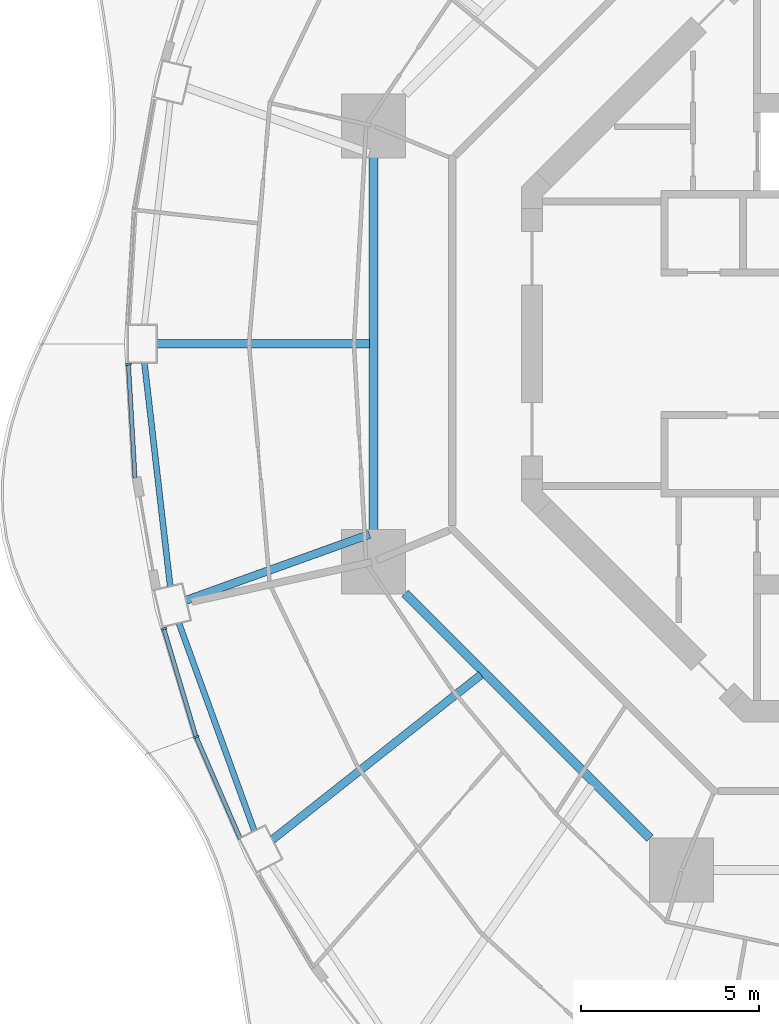
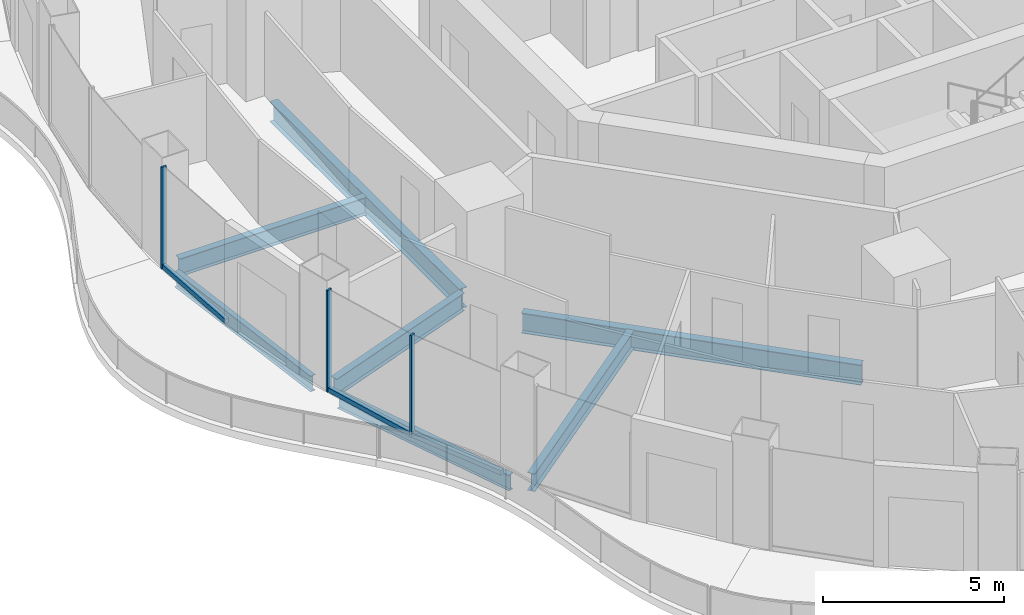
# One storey, part 3 of 19: 7 beams, 6 members, 3 elements without a shape of their own.
"""IFC4 building model written with IfcOpenShell, lengths in metres."""

from ifc_helpers import new_model, si_unit, direction, frame, origin, origin_2d, place, context, subcontext, project, spatial, rectangle, i_section, extrude, material, layer, layer_set, material_profile, profile_set, type_object, element, aggregate, save


model = new_model("IFC4")

# Units and contexts
model_context = context("Model", 3, precision=1e-05, world=origin(), true_north=direction((0.0, 1.0)))
body_context = subcontext(model_context, "Body", "Model", "MODEL_VIEW")
ifc_project = project(units=[si_unit("LENGTHUNIT", "METRE"), si_unit("AREAUNIT", "SQUARE_METRE"), si_unit("VOLUMEUNIT", "CUBIC_METRE"), si_unit("PLANEANGLEUNIT", "RADIAN"), si_unit("MASSUNIT", "GRAM", prefix="KILO")], contexts=[model_context])

# Site, building, storey
site_placement = place(None, origin())
site = spatial("IfcSite", under=ifc_project, at=site_placement, CompositionType="ELEMENT")
building_placement = place(site_placement, origin())
building = spatial("IfcBuilding", under=site, at=building_placement, Name="Nagisa Residences", CompositionType="ELEMENT")
storey_placement = place(building_placement, frame((0.0, 0.0, 177.0)))
storey = spatial("IfcBuildingStorey", under=building, at=storey_placement, Name="L44", CompositionType="ELEMENT", Elevation=177.0)

# Curtain wall, member
ifc_material_1 = material(Name="Concrete-coloured aluminium curtain wall system", Category="concrete")
ifc_layer = layer(ifc_material_1, 0.159912109375)
ifc_layer_set = layer_set([ifc_layer], Name="CW1 CURTAIN WALL")
curtain_wall_type = type_object("IfcCurtainWallType", Name="CW1 CURTAIN WALL", PredefinedType="NOTDEFINED", material=ifc_layer_set)
curtain_wall_1_placement = place(storey_placement, origin())
curtain_wall_1 = element("IfcCurtainWall", 1, at=curtain_wall_1_placement, inside=storey, type_object=curtain_wall_type, Name="cw:CW1:L44:24", PredefinedType="NOTDEFINED")
ifc_material_2 = material(Name="Concrete-coloured aluminium", Category="concrete")
ifc_material_profile_1 = material_profile(ifc_material_2, rectangle(XDim=0.159912109375, YDim=0.06005859375, at=origin_2d()), Name="CW1 MULLION 160x60")
ifc_profile_set_1 = profile_set([ifc_material_profile_1], Name="Concrete-coloured aluminium")
member_type_1 = type_object("IfcMemberType", Name="CW1 MULLION 160x60", PredefinedType="MULLION", material=ifc_profile_set_1)
member_1_placement = place(storey_placement, frame((-21.661865234375, -0.574462890625, 0.0), z_axis=(0.0, 0.0, 1.0), x_axis=(0.998345305184, 0.057503492216, 0.0)))
member_1 = element("IfcMember", 2, at=member_1_placement, type_object=member_type_1, Name="CW1 mullion", PredefinedType="MULLION", context=body_context, shape_type="SweptSolid", body=[
    extrude(rectangle(XDim=0.159912109375, YDim=0.06005859375, at=origin_2d()), origin(), (0.0, 0.0, 1.0), 3.43994140625),
])

curtain_wall_2_placement = place(storey_placement, origin())
curtain_wall_2 = element("IfcCurtainWall", 3, at=curtain_wall_2_placement, inside=storey, type_object=curtain_wall_type, Name="cw:CW1:L44:26", PredefinedType="NOTDEFINED")
member_2_placement = place(storey_placement, frame((-20.66796875, -8.00634765625, 0.0), z_axis=(0.0, 0.0, 1.0), x_axis=(0.958271310082, 0.285860274038, 0.0)))
member_2 = element("IfcMember", 4, at=member_2_placement, type_object=member_type_1, Name="CW1 mullion", PredefinedType="MULLION", context=body_context, shape_type="SweptSolid", body=[
    extrude(rectangle(XDim=0.159912109375, YDim=0.06005859375, at=origin_2d()), origin(), (0.0, 0.0, 1.0), 3.43994140625),
])

curtain_wall_3_placement = place(storey_placement, origin())
curtain_wall_3 = element("IfcCurtainWall", 5, at=curtain_wall_3_placement, inside=storey, type_object=curtain_wall_type, Name="cw:CW1:L44:27", PredefinedType="NOTDEFINED")
member_3_placement = place(storey_placement, frame((-19.758056640625, -11.045654296875, 0.0), z_axis=(0.0, 0.0, 1.0), x_axis=(0.917543276295, 0.397635934147, 0.0)))
member_3 = element("IfcMember", 6, at=member_3_placement, type_object=member_type_1, Name="CW1 mullion", PredefinedType="MULLION", context=body_context, shape_type="SweptSolid", body=[
    extrude(rectangle(XDim=0.159912109375, YDim=0.06005859375, at=origin_2d()), origin(), (0.0, 0.0, 1.0), 3.43994140625),
])

# Member
ifc_material_3 = material(Name="Concrete-coloured aluminium", Category="concrete")
ifc_material_profile_2 = material_profile(ifc_material_3, rectangle(XDim=0.1201171875, YDim=0.14990234375, at=origin_2d()), Name="CW1 TRANSOM 120x150")
ifc_profile_set_2 = profile_set([ifc_material_profile_2], Name="Concrete-coloured aluminium")
member_type_2 = type_object("IfcMemberType", Name="CW1 TRANSOM 120x150", PredefinedType="USERDEFINED", material=ifc_profile_set_2)
member_4_placement = place(storey_placement, frame((-21.66357421875, -0.54443359375, 0.074951171875), z_axis=(0.057528345118, -0.998343873376, 0.0), x_axis=(0.998343873376, 0.057528345118, 0.0)))
member_4 = element("IfcMember", 7, at=member_4_placement, type_object=member_type_2, Name="CW1 transom", ObjectType="TRANSOM", PredefinedType="USERDEFINED", context=body_context, shape_type="SweptSolid", body=[
    extrude(rectangle(XDim=0.1201171875, YDim=0.14990234375, at=origin_2d()), origin(), (0.0, 0.0, 1.0), 3.225341796875),
])

aggregate(curtain_wall_1, [member_1, member_4])

member_5_placement = place(storey_placement, frame((-20.676513671875, -7.9775390625, 0.074951171875), z_axis=(0.28584838049, -0.958274857946, 0.0), x_axis=(0.958274857946, 0.28584838049, 0.0)))
member_5 = element("IfcMember", 8, at=member_5_placement, type_object=member_type_2, Name="CW1 transom", ObjectType="TRANSOM", PredefinedType="USERDEFINED", context=body_context, shape_type="SweptSolid", body=[
    extrude(rectangle(XDim=0.1201171875, YDim=0.14990234375, at=origin_2d()), origin(), (0.0, 0.0, 1.0), 3.182373046875),
])

aggregate(curtain_wall_2, [member_2, member_5])

member_6_placement = place(storey_placement, frame((-19.77001953125, -11.01806640625, 0.074951171875), z_axis=(0.397592173732, -0.917562239517, 0.0), x_axis=(0.917562239517, 0.397592173732, 0.0)))
member_6 = element("IfcMember", 9, at=member_6_placement, type_object=member_type_2, Name="CW1 transom", ObjectType="TRANSOM", PredefinedType="USERDEFINED", context=body_context, shape_type="SweptSolid", body=[
    extrude(rectangle(XDim=0.1201171875, YDim=0.14990234375, at=origin_2d()), origin(), (0.0, 0.0, 1.0), 3.14208984375),
])

aggregate(curtain_wall_3, [member_3, member_6])

# Beams
ifc_material_4 = material(Name="Steel ASTM A572 Gr 50", Category="steel")
ifc_material_profile_3 = material_profile(ifc_material_4, i_section(OverallWidth=0.25390625, OverallDepth=0.68408203125, WebThickness=0.012451171875, FlangeThickness=0.018798828125, at=origin_2d()), Name="W690x140")
ifc_profile_set_3 = profile_set([ifc_material_profile_3], Name="Steel ASTM A572 Gr 50")
beam_type_1 = type_object("IfcBeamType", Name="Inner ring beam W690x140", PredefinedType="BEAM", material=ifc_profile_set_3)
beam_1_placement = place(storey_placement, frame((-14.781982421875, 5.242919921875, -0.60205078125), z_axis=(0.0, -1.0, 0.0), x_axis=(1.0, 0.0, 0.0)))
element("IfcBeam", 10, at=beam_1_placement, inside=storey, type_object=beam_type_1, Name="beam:L44:ib4", PredefinedType="BEAM", context=body_context, shape_type="SweptSolid", body=[
    extrude(i_section(OverallWidth=0.25390625, OverallDepth=0.68408203125, WebThickness=0.012451171875, FlangeThickness=0.018798828125, at=origin_2d()), origin(), (0.0, 0.0, 1.0), 10.48583984375),
])
beam_2_placement = place(storey_placement, frame((-13.896240234375, -7.0087890625, -0.60205078125), z_axis=(0.707106781187, -0.707106781187, 0.0), x_axis=(0.707106781187, 0.707106781187, 0.0)))
element("IfcBeam", 11, at=beam_2_placement, inside=storey, type_object=beam_type_1, Name="beam:L44:ib5", PredefinedType="BEAM", context=body_context, shape_type="SweptSolid", body=[
    extrude(i_section(OverallWidth=0.25390625, OverallDepth=0.68408203125, WebThickness=0.012451171875, FlangeThickness=0.018798828125, at=origin_2d()), origin(), (0.0, 0.0, 1.0), 9.740234375),
])
ifc_material_5 = material(Name="Steel ASTM A572 Gr 50", Category="steel")
ifc_material_profile_4 = material_profile(ifc_material_5, i_section(OverallWidth=0.166015625, OverallDepth=0.534912109375, WebThickness=0.01025390625, FlangeThickness=0.0166015625, at=origin_2d()), Name="W530x85")
ifc_profile_set_4 = profile_set([ifc_material_profile_4], Name="Steel ASTM A572 Gr 50")
beam_type_2 = type_object("IfcBeamType", Name="Perimeter ring beam W530x85", PredefinedType="BEAM", material=ifc_profile_set_4)
beam_3_placement = place(storey_placement, frame((-21.2138671875, -0.530029296875, -0.527587890625), z_axis=(0.114670987431, -0.993403525583, 0.0), x_axis=(0.993403525583, 0.114670987431, 0.0)))
element("IfcBeam", 12, at=beam_3_placement, inside=storey, type_object=beam_type_2, Name="beam:L44:pb13", PredefinedType="BEAM", context=body_context, shape_type="SweptSolid", body=[
    extrude(i_section(OverallWidth=0.166015625, OverallDepth=0.534912109375, WebThickness=0.01025390625, FlangeThickness=0.0166015625, at=origin_2d()), origin(), (0.0, 0.0, 1.0), 6.325439453125),
])
beam_4_placement = place(storey_placement, frame((-20.2451171875, -7.845703125, -0.527587890625), z_axis=(0.341285525681, -0.939959674646, 0.0), x_axis=(0.939959674646, 0.341285525681, 0.0)))
element("IfcBeam", 13, at=beam_4_placement, inside=storey, type_object=beam_type_2, Name="beam:L44:pb14", PredefinedType="BEAM", context=body_context, shape_type="SweptSolid", body=[
    extrude(i_section(OverallWidth=0.166015625, OverallDepth=0.534912109375, WebThickness=0.01025390625, FlangeThickness=0.0166015625, at=origin_2d()), origin(), (0.0, 0.0, 1.0), 6.212890625),
])
ifc_material_6 = material(Name="Steel ASTM A572 Gr 50", Category="steel")
ifc_material_profile_5 = material_profile(ifc_material_6, i_section(OverallWidth=0.22802734375, OverallDepth=0.60302734375, WebThickness=0.010498046875, FlangeThickness=0.014892578125, at=origin_2d()), Name="W610x101")
ifc_profile_set_5 = profile_set([ifc_material_profile_5], Name="Steel ASTM A572 Gr 50")
beam_type_3 = type_object("IfcBeamType", Name="Radial beam W610x101", PredefinedType="BEAM", material=ifc_profile_set_5)
beam_5_placement = place(storey_placement, frame((-20.8701171875, 0.0, -0.5615234375), z_axis=(1.0, 0.0, 0.0), x_axis=(0.0, 1.0, 0.0)))
element("IfcBeam", 14, at=beam_5_placement, inside=storey, type_object=beam_type_3, Name="beam:L44:rb13", PredefinedType="BEAM", context=body_context, shape_type="SweptSolid", body=[
    extrude(i_section(OverallWidth=0.22802734375, OverallDepth=0.60302734375, WebThickness=0.010498046875, FlangeThickness=0.014892578125, at=origin_2d()), origin(), (0.0, 0.0, 1.0), 5.98095703125),
])
beam_6_placement = place(storey_placement, frame((-20.043701171875, -7.2060546875, -0.5615234375), z_axis=(0.941032808963, 0.338315315137, 0.0), x_axis=(-0.338315315137, 0.941032808963, 0.0)))
element("IfcBeam", 15, at=beam_6_placement, inside=storey, type_object=beam_type_3, Name="beam:L44:rb14", PredefinedType="BEAM", context=body_context, shape_type="SweptSolid", body=[
    extrude(i_section(OverallWidth=0.22802734375, OverallDepth=0.60302734375, WebThickness=0.010498046875, FlangeThickness=0.014892578125, at=origin_2d()), origin(), (0.0, 0.0, 1.0), 5.4765625),
])
beam_7_placement = place(storey_placement, frame((-17.617919921875, -13.930908203125, -0.5615234375), z_axis=(0.784411523752, 0.620240728593, 0.0), x_axis=(-0.620240728593, 0.784411523752, 0.0)))
element("IfcBeam", 16, at=beam_7_placement, inside=storey, type_object=beam_type_3, Name="beam:L44:rb15", PredefinedType="BEAM", context=body_context, shape_type="SweptSolid", body=[
    extrude(i_section(OverallWidth=0.22802734375, OverallDepth=0.60302734375, WebThickness=0.010498046875, FlangeThickness=0.014892578125, at=origin_2d()), origin(), (0.0, 0.0, 1.0), 7.4697265625),
])

save(model, "model.ifc")
